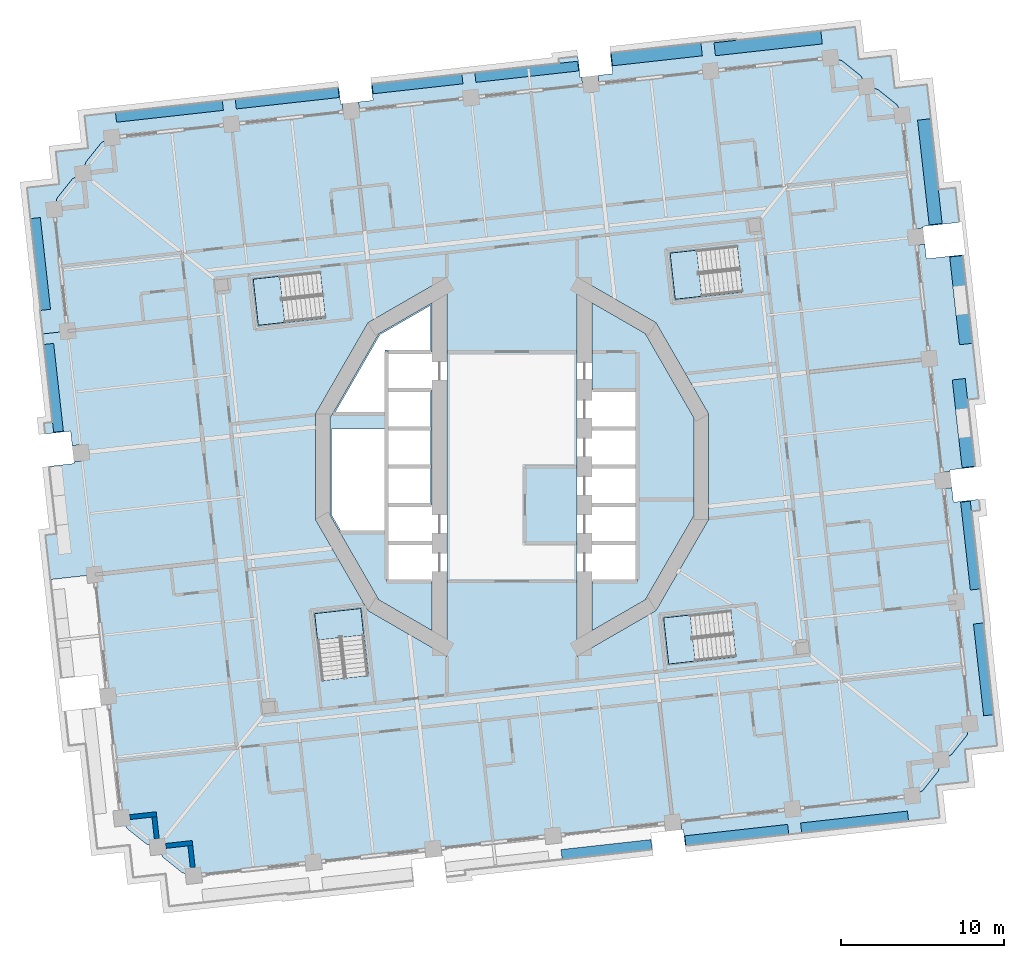
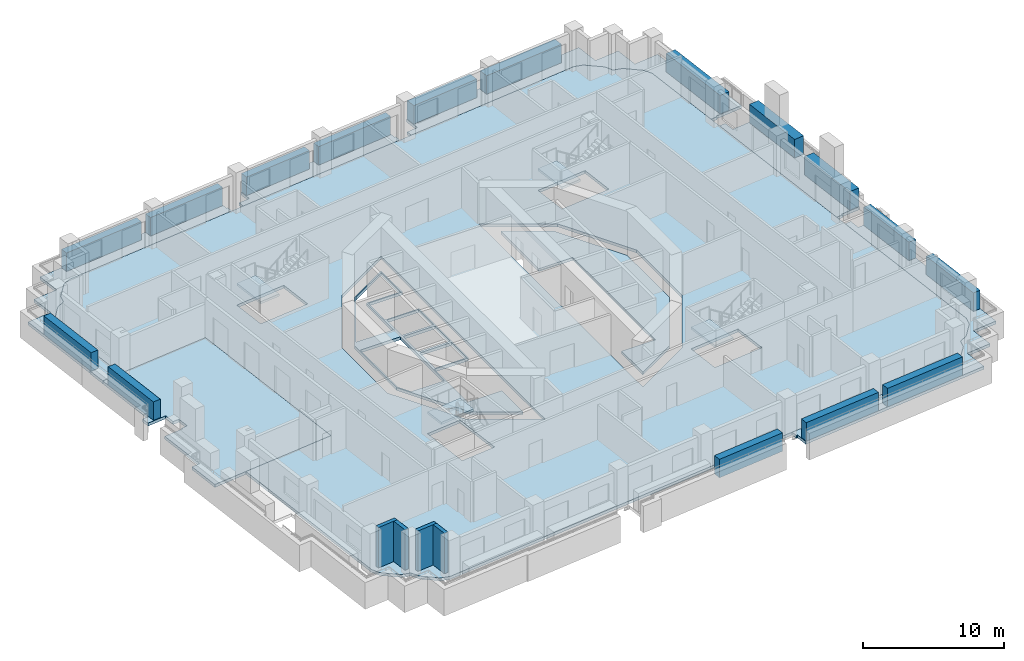
# One storey, part 3 of 19: 16 plates, 13 slabs, 4 walls, 4 elements without a shape of their own.
"""IFC4 building model written with IfcOpenShell, lengths in metres."""

from ifc_helpers import new_model, si_unit, direction, frame, frame_2d, origin, origin_2d, place, context, subcontext, project, spatial, polyline, rectangle, outline, extrude, material, layer, layer_set, type_object, element, aggregate, save


model = new_model("IFC4")

# Units and contexts
model_context = context("Model", 3, precision=1e-05, world=origin(), true_north=direction((0.0, 1.0)))
body_context = subcontext(model_context, "Body", "Model", "MODEL_VIEW")
ifc_project = project(units=[si_unit("LENGTHUNIT", "METRE"), si_unit("AREAUNIT", "SQUARE_METRE"), si_unit("VOLUMEUNIT", "CUBIC_METRE"), si_unit("PLANEANGLEUNIT", "RADIAN"), si_unit("MASSUNIT", "GRAM", prefix="KILO")], contexts=[model_context])

# Site, building, storey
site_placement = place(None, origin())
site = spatial("IfcSite", under=ifc_project, at=site_placement, CompositionType="ELEMENT")
building_placement = place(site_placement, origin())
building = spatial("IfcBuilding", under=site, at=building_placement, Name="Cantera Rosa Tower", CompositionType="ELEMENT")
storey_placement = place(building_placement, frame((0.0, 0.0, 65.300048828125)))
storey = spatial("IfcBuildingStorey", under=building, at=storey_placement, Name="L13", CompositionType="ELEMENT", Elevation=65.300048828125)

# Slabs
ifc_material_1 = material(Name="Concrete C35/45", Category="concrete")
ifc_layer_1 = layer(ifc_material_1, 0.25)
ifc_layer_set_1 = layer_set([ifc_layer_1], Name="COMPOSITE FLOOR SLAB 250 C35/45")
slab_type_1 = type_object("IfcSlabType", Name="COMPOSITE FLOOR SLAB 250 C35/45", PredefinedType="FLOOR", material=ifc_layer_set_1)
slab_1_placement = place(storey_placement, frame((0.0, 0.0, -0.25)))
element("IfcSlab", 1, at=slab_1_placement, inside=storey, type_object=slab_type_1, Name="SLAB L13 floor 1", PredefinedType="FLOOR", context=body_context, shape_type="SweptSolid", body=[
    extrude(outline(polyline([(-4.89990234375, -7.050048828125), (-4.89990234375, -10.07373046875), (-8.179931640625, -8.179931640625), (-11.174072265625, -2.994140625), (-11.174072265625, 2.994140625), (-8.179931640625, 8.179931640625), (-4.89990234375, 10.07373046875), (-4.89990234375, 7.050048828125), (-7.699951171875, 7.050048828125), (-7.699951171875, 4.699951171875), (-4.89990234375, 4.699951171875), (-4.89990234375, -2.35009765625), (-7.699951171875, -2.35009765625), (-7.699951171875, -4.699951171875), (-7.699951171875, -7.050048828125), (-4.89990234375, -7.050048828125)]), holes=[polyline([(-5.0, -0.10009765625), (-7.60009765625, -0.10009765625), (-7.60009765625, -2.25), (-5.0, -2.25), (-5.0, -0.10009765625)]), polyline([(-7.800048828125, -3.929443359375), (-7.800048828125, -2.449951171875), (-7.800048828125, -2.25), (-7.800048828125, 2.25), (-7.800048828125, 2.317626953125), (-11.07421875, 2.317626953125), (-11.07421875, -2.96728515625), (-10.5185546875, -3.929443359375), (-7.800048828125, -3.929443359375)]), polyline([(-5.0, 2.25), (-7.60009765625, 2.25), (-7.60009765625, 0.10009765625), (-5.0, 0.10009765625), (-5.0, 2.25)]), polyline([(-5.0, 2.449951171875), (-5.0, 4.60009765625), (-7.60009765625, 4.60009765625), (-7.60009765625, 2.449951171875), (-5.0, 2.449951171875)]), polyline([(-7.800048828125, 7.14990234375), (-5.0, 7.14990234375), (-5.0, 9.900390625), (-8.106689453125, 8.106689453125), (-10.868408203125, 3.323486328125), (-7.800048828125, 3.323486328125), (-7.800048828125, 7.14990234375)])]), origin(), (0.0, 0.0, 1.0), 0.25),
])
slab_2_placement = place(storey_placement, frame((0.0, 0.0, -0.25)))
element("IfcSlab", 2, at=slab_2_placement, inside=storey, type_object=slab_type_1, Name="SLAB L13 floor 2", PredefinedType="FLOOR", context=body_context, shape_type="SweptSolid", body=[
    extrude(outline(polyline([(-21.415283203125, -23.999267578125), (-21.435302734375, -23.9775390625), (-21.453125, -23.9541015625), (-21.468505859375, -23.92919921875), (-21.7578125, -23.342529296875), (-22.393310546875, -23.18896484375), (-22.42138671875, -23.179443359375), (-22.447998046875, -23.1669921875), (-22.473388671875, -23.15234375), (-22.497314453125, -23.135009765625), (-23.6015625, -22.25146484375), (-23.62353515625, -22.23193359375), (-23.643798828125, -22.21044921875), (-23.66162109375, -22.18701171875), (-23.677001953125, -22.161865234375), (-23.96630859375, -21.575439453125), (-25.625244140625, -6.627197265625), (-18.171142578125, -5.7998046875), (-19.830078125, 9.148193359375), (-27.284423828125, 8.321044921875), (-28.114013671875, 15.795166015625), (-27.960205078125, 16.4306640625), (-27.95068359375, 16.45849609375), (-27.9384765625, 16.4853515625), (-27.923583984375, 16.5107421875), (-27.906494140625, 16.53466796875), (-27.022705078125, 17.638916015625), (-27.00341796875, 17.660888671875), (-26.981689453125, 17.680908203125), (-26.958251953125, 17.69873046875), (-26.933349609375, 17.714111328125), (-26.3466796875, 18.00341796875), (-26.193115234375, 18.63916015625), (-26.18359375, 18.6669921875), (-26.17138671875, 18.693603515625), (-26.156494140625, 18.71923828125), (-26.139404296875, 18.742919921875), (-25.255615234375, 19.84716796875), (-25.236083984375, 19.869384765625), (-25.214599609375, 19.889404296875), (-25.191162109375, 19.9072265625), (-25.166015625, 19.922607421875), (-24.57958984375, 20.2119140625), (18.642578125, 25.00927734375), (19.54931640625, 25.10986328125), (20.18505859375, 24.9560546875), (20.212890625, 24.946533203125), (20.239501953125, 24.934326171875), (20.26513671875, 24.91943359375), (20.288818359375, 24.902099609375), (21.39306640625, 24.018798828125), (21.415283203125, 23.999267578125), (21.435302734375, 23.9775390625), (21.453125, 23.9541015625), (21.468505859375, 23.92919921875), (21.7578125, 23.342529296875), (22.393310546875, 23.18896484375), (22.42138671875, 23.179443359375), (22.447998046875, 23.1669921875), (22.473388671875, 23.15234375), (22.497314453125, 23.135009765625), (23.6015625, 22.25146484375), (23.62353515625, 22.23193359375), (23.643798828125, 22.21044921875), (23.66162109375, 22.18701171875), (23.677001953125, 22.161865234375), (23.96630859375, 21.575439453125), (28.114013671875, -15.795166015625), (27.960205078125, -16.4306640625), (27.95068359375, -16.45849609375), (27.9384765625, -16.4853515625), (27.923583984375, -16.5107421875), (27.906494140625, -16.53466796875), (27.022705078125, -17.638916015625), (27.00341796875, -17.660888671875), (26.981689453125, -17.680908203125), (26.958251953125, -17.69873046875), (26.933349609375, -17.714111328125), (26.3466796875, -18.00341796875), (26.193115234375, -18.63916015625), (26.18359375, -18.6669921875), (26.17138671875, -18.693603515625), (26.156494140625, -18.71923828125), (26.139404296875, -18.742919921875), (25.255615234375, -19.84716796875), (25.236083984375, -19.869384765625), (25.214599609375, -19.889404296875), (25.191162109375, -19.9072265625), (25.166015625, -19.922607421875), (24.57958984375, -20.2119140625), (-18.642578125, -25.00927734375), (-19.54931640625, -25.10986328125), (-20.18505859375, -24.9560546875), (-20.212890625, -24.946533203125), (-20.239501953125, -24.934326171875), (-20.26513671875, -24.91943359375), (-20.288818359375, -24.902099609375), (-21.39306640625, -24.018798828125), (-21.415283203125, -23.999267578125)]), holes=[polyline([(-12.11962890625, -9.02392578125), (-11.6630859375, -13.13671875), (-8.83056640625, -12.822265625), (-9.287109375, -8.709716796875), (-12.11962890625, -9.02392578125)]), polyline([(-12.07421875, -3.235107421875), (-8.8388671875, -8.8388671875), (-4.0, -11.632568359375), (-4.0, 11.632568359375), (-8.8388671875, 8.8388671875), (-12.07421875, 3.235107421875), (-12.07421875, -3.235107421875)]), polyline([(-15.575927734375, 8.680419921875), (-11.46337890625, 9.13671875), (-11.777587890625, 11.969482421875), (-15.890380859375, 11.512939453125), (-15.575927734375, 8.680419921875)]), polyline([(9.6240234375, -12.11962890625), (13.73681640625, -11.6630859375), (13.42236328125, -8.83056640625), (9.3095703125, -9.287109375), (9.6240234375, -12.11962890625)]), polyline([(12.07421875, 3.235107421875), (8.8388671875, 8.8388671875), (4.0, 11.632568359375), (4.0, -11.632568359375), (8.8388671875, -8.8388671875), (12.07421875, -3.235107421875), (12.07421875, 3.235107421875)]), polyline([(9.709716796875, 13.11279296875), (10.02392578125, 10.2802734375), (14.13671875, 10.73681640625), (13.822265625, 13.5693359375), (9.709716796875, 13.11279296875)])]), origin(), (0.0, 0.0, 1.0), 0.25),
])
slab_3_placement = place(storey_placement, frame((0.0, 0.0, -0.25)))
element("IfcSlab", 3, at=slab_3_placement, inside=storey, type_object=slab_type_1, Name="SLAB L13 floor 3", PredefinedType="FLOOR", context=body_context, shape_type="SweptSolid", body=[
    extrude(outline(polyline([(7.699951171875, 4.699951171875), (4.89990234375, 4.699951171875), (4.89990234375, 10.07373046875), (8.179931640625, 8.179931640625), (11.174072265625, 2.994140625), (11.174072265625, -2.994140625), (8.179931640625, -8.179931640625), (4.89990234375, -10.07373046875), (4.89990234375, -7.050048828125), (7.699951171875, -7.050048828125), (7.699951171875, -4.699951171875), (7.699951171875, -2.35009765625), (7.699951171875, 0.0), (7.699951171875, 2.35009765625), (7.699951171875, 4.699951171875)])), origin(), (0.0, 0.0, 1.0), 0.25),
])
ifc_material_2 = material(Name="Concrete C35/45", Category="concrete")
ifc_layer_2 = layer(ifc_material_2, 0.25)
ifc_layer_set_2 = layer_set([ifc_layer_2], Name="LOGGIA SLAB 250 C35/45")
slab_type_2 = type_object("IfcSlabType", Name="LOGGIA SLAB 250 C35/45", PredefinedType="FLOOR", material=ifc_layer_set_2)
slab_4_placement = place(storey_placement, frame((0.0, 0.0, -0.25)))
element("IfcSlab", 4, at=slab_4_placement, inside=storey, type_object=slab_type_2, Name="LOGGIA SLAB L13 2", PredefinedType="FLOOR", context=body_context, shape_type="SweptSolid", body=[
    extrude(outline(polyline([(-28.279296875, 17.285888671875), (-27.782470703125, 17.341064453125), (-27.837646484375, 17.837890625), (-28.003173828125, 19.328857421875), (-26.51220703125, 19.494384765625), (-26.015380859375, 19.549560546875), (-26.070556640625, 20.04638671875), (-26.236083984375, 21.537353515625), (-24.7451171875, 21.702880859375), (-18.881103515625, 22.353515625), (-15.8994140625, 22.6845703125), (-11.5263671875, 23.169921875), (-10.6318359375, 23.269287109375), (-10.521484375, 22.275390625), (-10.422119140625, 22.286376953125), (-10.366943359375, 21.789306640625), (-24.57958984375, 20.2119140625), (-25.166015625, 19.922607421875), (-25.191162109375, 19.9072265625), (-25.214599609375, 19.889404296875), (-25.236083984375, 19.869384765625), (-25.255615234375, 19.84716796875), (-26.139404296875, 18.742919921875), (-26.156494140625, 18.71923828125), (-26.17138671875, 18.693603515625), (-26.18359375, 18.6669921875), (-26.193115234375, 18.63916015625), (-26.3466796875, 18.00341796875), (-26.933349609375, 17.714111328125), (-26.958251953125, 17.69873046875), (-26.981689453125, 17.680908203125), (-27.00341796875, 17.660888671875), (-27.022705078125, 17.638916015625), (-27.906494140625, 16.53466796875), (-27.923583984375, 16.5107421875), (-27.9384765625, 16.4853515625), (-27.95068359375, 16.45849609375), (-27.960205078125, 16.4306640625), (-28.114013671875, 15.795166015625), (-27.284423828125, 8.321044921875), (-28.815185546875, 8.151123046875), (-28.985107421875, 9.681884765625), (-28.9453125, 9.686279296875), (-29.604736328125, 15.629638671875), (-29.770263671875, 17.12060546875), (-28.279296875, 17.285888671875)])), origin(), (0.0, 0.0, 1.0), 0.25),
])
slab_5_placement = place(storey_placement, frame((0.0, 0.0, -0.25)))
element("IfcSlab", 5, at=slab_5_placement, inside=storey, type_object=slab_type_2, Name="LOGGIA SLAB L13 4", PredefinedType="FLOOR", context=body_context, shape_type="SweptSolid", body=[
    extrude(outline(polyline([(4.04638671875, 25.185302734375), (4.188232421875, 23.907958984375), (4.28759765625, 23.9189453125), (4.3427734375, 23.422119140625), (-9.373046875, 21.899658203125), (-9.42822265625, 22.396484375), (-8.53369140625, 22.495849609375), (-8.64404296875, 23.48974609375), (-8.544677734375, 23.5009765625), (-4.17138671875, 23.986083984375), (-1.189697265625, 24.317138671875), (2.89990234375, 24.77099609375), (2.868408203125, 25.054443359375), (4.04638671875, 25.185302734375)])), origin(), (0.0, 0.0, 1.0), 0.25),
])
slab_6_placement = place(storey_placement, frame((0.0, 0.0, -0.25)))
element("IfcSlab", 6, at=slab_6_placement, inside=storey, type_object=slab_type_2, Name="LOGGIA SLAB L13 6", PredefinedType="FLOOR", context=body_context, shape_type="SweptSolid", body=[
    extrude(outline(polyline([(21.272216796875, 24.999267578125), (21.5703125, 25.0322265625), (23.260009765625, 25.2197265625), (23.447509765625, 23.5302734375), (23.48046875, 23.23193359375), (23.77880859375, 23.26513671875), (25.46826171875, 23.45263671875), (25.65576171875, 21.762939453125), (26.183837890625, 17.0048828125), (27.21044921875, 17.118896484375), (27.445556640625, 14.9990234375), (25.2265625, 14.752685546875), (25.237548828125, 14.653564453125), (24.740478515625, 14.598388671875), (23.96630859375, 21.575439453125), (23.677001953125, 22.161865234375), (23.66162109375, 22.18701171875), (23.643798828125, 22.21044921875), (23.62353515625, 22.23193359375), (23.6015625, 22.25146484375), (22.497314453125, 23.135009765625), (22.473388671875, 23.15234375), (22.447998046875, 23.1669921875), (22.42138671875, 23.179443359375), (22.393310546875, 23.18896484375), (21.7578125, 23.342529296875), (21.468505859375, 23.92919921875), (21.453125, 23.9541015625), (21.435302734375, 23.9775390625), (21.415283203125, 23.999267578125), (21.39306640625, 24.018798828125), (20.288818359375, 24.902099609375), (20.26513671875, 24.91943359375), (20.239501953125, 24.934326171875), (20.212890625, 24.946533203125), (20.18505859375, 24.9560546875), (19.54931640625, 25.10986328125), (18.642578125, 25.00927734375), (5.336669921875, 23.5322265625), (5.281494140625, 24.029296875), (6.176025390625, 24.12841796875), (6.0341796875, 25.406005859375), (13.77197265625, 26.2646484375), (13.78125, 26.179931640625), (19.36181640625, 26.79931640625), (21.051513671875, 26.98681640625), (21.239013671875, 25.29736328125), (21.272216796875, 24.999267578125)])), origin(), (0.0, 0.0, 1.0), 0.25),
])
slab_7_placement = place(storey_placement, frame((0.0, 0.0, -0.25)))
element("IfcSlab", 7, at=slab_7_placement, inside=storey, type_object=slab_type_2, Name="LOGGIA SLAB L13 7", PredefinedType="FLOOR", context=body_context, shape_type="SweptSolid", body=[
    extrude(outline(polyline([(29.770263671875, -17.12060546875), (28.279296875, -17.285888671875), (27.782470703125, -17.341064453125), (27.837646484375, -17.837890625), (28.003173828125, -19.328857421875), (26.51220703125, -19.494384765625), (26.015380859375, -19.549560546875), (26.070556640625, -20.04638671875), (26.236083984375, -21.537353515625), (24.7451171875, -21.702880859375), (18.881103515625, -22.353515625), (15.8994140625, -22.6845703125), (11.5263671875, -23.169921875), (10.6318359375, -23.269287109375), (10.521484375, -22.275390625), (10.422119140625, -22.286376953125), (10.366943359375, -21.789306640625), (24.57958984375, -20.2119140625), (25.166015625, -19.922607421875), (25.191162109375, -19.9072265625), (25.214599609375, -19.889404296875), (25.236083984375, -19.869384765625), (25.255615234375, -19.84716796875), (26.139404296875, -18.742919921875), (26.156494140625, -18.71923828125), (26.17138671875, -18.693603515625), (26.18359375, -18.6669921875), (26.193115234375, -18.63916015625), (26.3466796875, -18.00341796875), (26.933349609375, -17.714111328125), (26.958251953125, -17.69873046875), (26.981689453125, -17.680908203125), (27.00341796875, -17.660888671875), (27.022705078125, -17.638916015625), (27.906494140625, -16.53466796875), (27.923583984375, -16.5107421875), (27.9384765625, -16.4853515625), (27.95068359375, -16.45849609375), (27.960205078125, -16.4306640625), (28.114013671875, -15.795166015625), (26.510009765625, -1.34375), (27.007080078125, -1.288818359375), (27.106201171875, -2.18310546875), (28.65625, -2.010986328125), (28.72900390625, -2.66650390625), (28.212890625, -2.723876953125), (28.985107421875, -9.681884765625), (28.9453125, -9.686279296875), (29.604736328125, -15.629638671875), (29.770263671875, -17.12060546875)])), origin(), (0.0, 0.0, 1.0), 0.25),
])
slab_8_placement = place(storey_placement, frame((0.0, 0.0, -0.25)))
element("IfcSlab", 8, at=slab_8_placement, inside=storey, type_object=slab_type_2, Name="LOGGIA SLAB L13 8", PredefinedType="FLOOR", context=body_context, shape_type="SweptSolid", body=[
    extrude(outline(polyline([(26.399658203125, -0.349853515625), (24.850830078125, 13.6044921875), (25.347900390625, 13.65966796875), (25.447265625, 12.764892578125), (27.666259765625, 13.01123046875), (28.642822265625, 4.212646484375), (27.9736328125, 4.138427734375), (28.435546875, -0.023193359375), (26.885498046875, -0.1953125), (26.896728515625, -0.294921875), (26.399658203125, -0.349853515625)])), origin(), (0.0, 0.0, 1.0), 0.25),
])

# Plates
ifc_material_3 = material(Name="Cantera stone planter with soil", Category="masonry")
plate_type_1 = type_object("IfcPlateType", Name="PLANTER 600", PredefinedType="USERDEFINED", material=ifc_material_3)
plate_1_placement = place(storey_placement, frame((28.94970703125, -12.447509765625, 0.0), z_axis=(0.0, 0.0, 1.0), x_axis=(-0.110312555526, 0.993896946415, 0.0)))
element("IfcPlate", 9, at=plate_1_placement, inside=storey, type_object=plate_type_1, Name="PLANTER L13-01", ObjectType="PLANTER", PredefinedType="USERDEFINED", context=body_context, shape_type="SweptSolid", body=[
    extrude(rectangle(XDim=5.669921875, YDim=0.60009765625, at=origin_2d()), origin(), (0.0, 0.0, 1.0), 1.60009765625),
])
plate_2_placement = place(storey_placement, frame((28.146240234375, -4.8447265625, 0.0), z_axis=(0.0, 0.0, 1.0), x_axis=(-0.110312555526, 0.993896946415, 0.0)))
element("IfcPlate", 10, at=plate_2_placement, inside=storey, type_object=plate_type_1, Name="PLANTER L13-02", ObjectType="PLANTER", PredefinedType="USERDEFINED", context=body_context, shape_type="SweptSolid", body=[
    extrude(rectangle(XDim=5.419921875, YDim=0.60009765625, at=origin_2d()), origin(), (0.0, 0.0, 1.0), 1.60009765625),
])
plate_3_placement = place(storey_placement, frame((0.90576171875, 24.247802734375, 0.0), z_axis=(0.0, 0.0, 1.0), x_axis=(-0.993896946415, -0.110312555526, 0.0)))
element("IfcPlate", 11, at=plate_3_placement, inside=storey, type_object=plate_type_1, Name="PLANTER L13-08", ObjectType="PLANTER", PredefinedType="USERDEFINED", context=body_context, shape_type="SweptSolid", body=[
    extrude(rectangle(XDim=6.35009765625, YDim=0.60009765625, at=origin_2d()), origin(), (0.0, 0.0, 1.0), 1.60009765625),
])
plate_4_placement = place(storey_placement, frame((-5.80322265625, 23.503173828125, 0.0), z_axis=(0.0, 0.0, 1.0), x_axis=(-0.993896946415, -0.110312555526, 0.0)))
element("IfcPlate", 12, at=plate_4_placement, inside=storey, type_object=plate_type_1, Name="PLANTER L13-09", ObjectType="PLANTER", PredefinedType="USERDEFINED", context=body_context, shape_type="SweptSolid", body=[
    extrude(rectangle(XDim=5.550048828125, YDim=0.60009765625, at=origin_2d()), origin(), (0.0, 0.0, 1.0), 1.60009765625),
])
plate_5_placement = place(storey_placement, frame((-13.803955078125, 22.615234375, 0.0), z_axis=(0.0, 0.0, 1.0), x_axis=(-0.993896946415, -0.110312555526, 0.0)))
element("IfcPlate", 13, at=plate_5_placement, inside=storey, type_object=plate_type_1, Name="PLANTER L13-10", ObjectType="PLANTER", PredefinedType="USERDEFINED", context=body_context, shape_type="SweptSolid", body=[
    extrude(rectangle(XDim=6.35009765625, YDim=0.60009765625, at=origin_2d()), origin(), (0.0, 0.0, 1.0), 1.60009765625),
])
plate_6_placement = place(storey_placement, frame((-21.03466796875, 21.812744140625, 0.0), z_axis=(0.0, 0.0, 1.0), x_axis=(-0.993896946415, -0.110312555526, 0.0)))
element("IfcPlate", 14, at=plate_6_placement, inside=storey, type_object=plate_type_1, Name="PLANTER L13-11", ObjectType="PLANTER", PredefinedType="USERDEFINED", context=body_context, shape_type="SweptSolid", body=[
    extrude(rectangle(XDim=6.60009765625, YDim=0.60009765625, at=origin_2d()), origin(), (0.0, 0.0, 1.0), 1.60009765625),
])
plate_7_placement = place(storey_placement, frame((-28.94970703125, 12.447509765625, 0.0), z_axis=(0.0, 0.0, 1.0), x_axis=(0.110312555526, -0.993896946415, 0.0)))
element("IfcPlate", 15, at=plate_7_placement, inside=storey, type_object=plate_type_1, Name="PLANTER L13-12", ObjectType="PLANTER", PredefinedType="USERDEFINED", context=body_context, shape_type="SweptSolid", body=[
    extrude(rectangle(XDim=5.669921875, YDim=0.60009765625, at=origin_2d()), origin(), (0.0, 0.0, 1.0), 1.60009765625),
])
plate_8_placement = place(storey_placement, frame((-28.146240234375, 4.8447265625, 0.0), z_axis=(0.0, 0.0, 1.0), x_axis=(0.110312555526, -0.993896946415, 0.0)))
element("IfcPlate", 16, at=plate_8_placement, inside=storey, type_object=plate_type_1, Name="PLANTER L13-13", ObjectType="PLANTER", PredefinedType="USERDEFINED", context=body_context, shape_type="SweptSolid", body=[
    extrude(rectangle(XDim=5.419921875, YDim=0.60009765625, at=origin_2d()), origin(), (0.0, 0.0, 1.0), 1.60009765625),
])
plate_9_placement = place(storey_placement, frame((5.80322265625, -23.503173828125, 0.0), z_axis=(0.0, 0.0, 1.0), x_axis=(0.993896946415, 0.110312555526, 0.0)))
element("IfcPlate", 17, at=plate_9_placement, inside=storey, type_object=plate_type_1, Name="PLANTER L13-20", ObjectType="PLANTER", PredefinedType="USERDEFINED", context=body_context, shape_type="SweptSolid", body=[
    extrude(rectangle(XDim=5.550048828125, YDim=0.60009765625, at=origin_2d()), origin(), (0.0, 0.0, 1.0), 1.60009765625),
])
plate_10_placement = place(storey_placement, frame((13.803955078125, -22.615234375, 0.0), z_axis=(0.0, 0.0, 1.0), x_axis=(0.993896946415, 0.110312555526, 0.0)))
element("IfcPlate", 18, at=plate_10_placement, inside=storey, type_object=plate_type_1, Name="PLANTER L13-21", ObjectType="PLANTER", PredefinedType="USERDEFINED", context=body_context, shape_type="SweptSolid", body=[
    extrude(rectangle(XDim=6.35009765625, YDim=0.60009765625, at=origin_2d()), origin(), (0.0, 0.0, 1.0), 1.60009765625),
])
plate_11_placement = place(storey_placement, frame((21.03466796875, -21.812744140625, 0.0), z_axis=(0.0, 0.0, 1.0), x_axis=(0.993896946415, 0.110312555526, 0.0)))
element("IfcPlate", 19, at=plate_11_placement, inside=storey, type_object=plate_type_1, Name="PLANTER L13-22", ObjectType="PLANTER", PredefinedType="USERDEFINED", context=body_context, shape_type="SweptSolid", body=[
    extrude(rectangle(XDim=6.60009765625, YDim=0.60009765625, at=origin_2d()), origin(), (0.0, 0.0, 1.0), 1.60009765625),
])
ifc_material_4 = material(Name="Cantera stone planter with soil", Category="masonry")
plate_type_2 = type_object("IfcPlateType", Name="PLANTER 800", PredefinedType="USERDEFINED", material=ifc_material_4)
for number, where, z_axis, x_axis, name in (
    (20, (27.733642578125, 2.67578125, 0.0), (0.0, 0.0, 1.0), (-0.110312555526, 0.993896946415, 0.0), "PLANTER L13-03"),
    (21, (27.5732421875, 10.22412109375, 0.0), (0.0, 0.0, 1.0), (-0.110312555526, 0.993896946415, 0.0), "PLANTER L13-04"),
):
    element("IfcPlate", number, at=place(storey_placement, frame(where, z_axis=z_axis, x_axis=x_axis)), inside=storey, type_object=plate_type_2, Name=name, ObjectType="PLANTER", PredefinedType="USERDEFINED", context=body_context, shape_type="SweptSolid", body=[
        extrude(rectangle(XDim=5.419921875, YDim=0.800048828125, at=origin_2d()), origin(), (0.0, 0.0, 1.0), 1.60009765625),
    ])
plate_12_placement = place(storey_placement, frame((25.6591796875, 18.10595703125, 0.0), z_axis=(0.0, 0.0, 1.0), x_axis=(-0.110312555526, 0.993896946415, 0.0)))
element("IfcPlate", 22, at=plate_12_placement, inside=storey, type_object=plate_type_2, Name="PLANTER L13-05", ObjectType="PLANTER", PredefinedType="USERDEFINED", context=body_context, shape_type="SweptSolid", body=[
    extrude(rectangle(XDim=6.469970703125, YDim=0.800048828125, at=origin_2d()), origin(), (0.0, 0.0, 1.0), 1.60009765625),
])
plate_13_placement = place(storey_placement, frame((15.728515625, 25.99365234375, 0.0), z_axis=(0.0, 0.0, 1.0), x_axis=(-0.993896946415, -0.110312555526, 0.0)))
element("IfcPlate", 23, at=plate_13_placement, inside=storey, type_object=plate_type_2, Name="PLANTER L13-06", ObjectType="PLANTER", PredefinedType="USERDEFINED", context=body_context, shape_type="SweptSolid", body=[
    extrude(rectangle(XDim=6.60009765625, YDim=0.800048828125, at=origin_2d()), origin(), (0.0, 0.0, 1.0), 1.60009765625),
])
plate_14_placement = place(storey_placement, frame((8.88623046875, 25.320068359375, 0.0), z_axis=(0.0, 0.0, 1.0), x_axis=(-0.993896946415, -0.110312555526, 0.0)))
element("IfcPlate", 24, at=plate_14_placement, inside=storey, type_object=plate_type_2, Name="PLANTER L13-07", ObjectType="PLANTER", PredefinedType="USERDEFINED", context=body_context, shape_type="SweptSolid", body=[
    extrude(rectangle(XDim=5.550048828125, YDim=0.800048828125, at=origin_2d()), origin(), (0.0, 0.0, 1.0), 1.60009765625),
])

# Stair, slab
ifc_material_5 = material(Name="Concrete C35/45", Category="concrete")
stair_type = type_object("IfcStairType", Name="EXIT STAIR 1350 DOGLEG", PredefinedType="HALF_TURN_STAIR", material=ifc_material_5)
stair_1_placement = place(storey_placement, origin())
stair_1 = element("IfcStair", 25, at=stair_1_placement, inside=storey, type_object=stair_type, Name="L13 ST-11", PredefinedType="HALF_TURN_STAIR")
ifc_material_6 = material(Name="Concrete C35/45", Category="concrete")
ifc_layer_3 = layer(ifc_material_6, 0.199951171875)
ifc_layer_set_3 = layer_set([ifc_layer_3], Name="STAIR LANDING 200")
slab_type_3 = type_object("IfcSlabType", Name="STAIR LANDING 200", PredefinedType="LANDING", material=ifc_layer_set_3)
slab_9_placement = place(storey_placement, frame((0.0, 0.0, 1.699951171875)))
slab_9 = element("IfcSlab", 26, at=slab_9_placement, type_object=slab_type_3, Name="ST-11 landing 1", PredefinedType="LANDING", context=body_context, shape_type="SweptSolid", body=[
    extrude(outline(polyline([(11.341552734375, 13.294189453125), (9.70947265625, 13.113037109375), (10.02392578125, 10.2802734375), (11.656005859375, 10.46142578125), (11.341552734375, 13.294189453125)])), origin(), (0.0, 0.0, 1.0), 0.199951171875),
])
aggregate(stair_1, [slab_9])

stair_2_placement = place(storey_placement, origin())
stair_2 = element("IfcStair", 27, at=stair_2_placement, inside=storey, type_object=stair_type, Name="L13 ST-12", PredefinedType="HALF_TURN_STAIR")
slab_10_placement = place(storey_placement, frame((0.0, 0.0, 1.699951171875)))
slab_10 = element("IfcSlab", 28, at=slab_10_placement, type_object=slab_type_3, Name="ST-12 landing 1", PredefinedType="LANDING", context=body_context, shape_type="SweptSolid", body=[
    extrude(outline(polyline([(-14.258544921875, 11.694091796875), (-15.890380859375, 11.512939453125), (-15.575927734375, 8.680419921875), (-13.944091796875, 8.861572265625), (-14.258544921875, 11.694091796875)])), origin(), (0.0, 0.0, 1.0), 0.199951171875),
])
aggregate(stair_2, [slab_10])

stair_3_placement = place(storey_placement, origin())
stair_3 = element("IfcStair", 29, at=stair_3_placement, inside=storey, type_object=stair_type, Name="L13 ST-13", PredefinedType="HALF_TURN_STAIR")
slab_11_placement = place(storey_placement, frame((0.0, 0.0, 1.699951171875)))
slab_11 = element("IfcSlab", 30, at=slab_11_placement, type_object=slab_type_3, Name="ST-13 landing 1", PredefinedType="LANDING", context=body_context, shape_type="SweptSolid", body=[
    extrude(outline(polyline([(-9.10595703125, -10.341552734375), (-9.287109375, -8.70947265625), (-12.11962890625, -9.02392578125), (-11.9384765625, -10.656005859375), (-9.10595703125, -10.341552734375)])), origin(), (0.0, 0.0, 1.0), 0.199951171875),
])
aggregate(stair_3, [slab_11])

stair_4_placement = place(storey_placement, origin())
stair_4 = element("IfcStair", 31, at=stair_4_placement, inside=storey, type_object=stair_type, Name="L13 ST-14", PredefinedType="HALF_TURN_STAIR")
slab_12_placement = place(storey_placement, frame((0.0, 0.0, 1.699951171875)))
slab_12 = element("IfcSlab", 32, at=slab_12_placement, type_object=slab_type_3, Name="ST-14 landing 1", PredefinedType="LANDING", context=body_context, shape_type="SweptSolid", body=[
    extrude(outline(polyline([(10.941650390625, -9.10595703125), (9.3095703125, -9.287109375), (9.6240234375, -12.11962890625), (11.255859375, -11.9384765625), (10.941650390625, -9.10595703125)])), origin(), (0.0, 0.0, 1.0), 0.199951171875),
])
aggregate(stair_4, [slab_12])

# Slab
ifc_material_7 = material(Name="Concrete C35/45", Category="concrete")
ifc_layer_4 = layer(ifc_material_7, 0.25)
ifc_layer_set_4 = layer_set([ifc_layer_4], Name="TERRACE SLAB 250 C35/45")
slab_type_4 = type_object("IfcSlabType", Name="TERRACE SLAB 250 C35/45", PredefinedType="FLOOR", material=ifc_layer_set_4)
slab_13_placement = place(storey_placement, frame((0.0, 0.0, -0.25)))
element("IfcSlab", 33, at=slab_13_placement, inside=storey, type_object=slab_type_4, Name="TERRACE SLAB L13 1", PredefinedType="FLOOR", context=body_context, shape_type="SweptSolid", body=[
    extrude(outline(polyline([(-26.896728515625, 0.294921875), (-26.399658203125, 0.349853515625), (-26.510009765625, 1.34375), (-27.007080078125, 1.288818359375), (-27.106201171875, 2.18310546875), (-28.65625, 2.010986328125), (-28.72900390625, 2.66650390625), (-28.212890625, 2.723876953125), (-28.815185546875, 8.151123046875), (-27.284423828125, 8.321044921875), (-19.830078125, 9.148193359375), (-18.171142578125, -5.7998046875), (-25.625244140625, -6.627197265625), (-28.34130859375, -6.9287109375), (-28.642822265625, -4.212646484375), (-27.9736328125, -4.138427734375), (-28.435546875, 0.023193359375), (-26.885498046875, 0.1953125), (-26.896728515625, 0.294921875)])), origin(), (0.0, 0.0, 1.0), 0.25),
])

# Walls
ifc_material_8 = material(Name="Hollow clay masonry with cantera stone cladding", Category="masonry")
ifc_layer_5 = layer(ifc_material_8, 0.300048828125)
ifc_layer_set_5 = layer_set([ifc_layer_5], Name="EW-LOGGIA 300")
wall_type = type_object("IfcWallType", Name="EW-LOGGIA 300", PredefinedType="SOLIDWALL", material=ifc_layer_set_5)
wall_1_placement = place(storey_placement, frame((-23.46923828125, -21.520263671875, 0.0), z_axis=(0.0, 0.0, 1.0), x_axis=(0.993905369514, 0.110236638423, 0.0)))
element("IfcWall", 34, at=wall_1_placement, inside=storey, type_object=wall_type, Name="EN-L13-W21a", PredefinedType="SOLIDWALL", context=body_context, shape_type="SweptSolid", body=[
    extrude(rectangle(XDim=1.64990234375, YDim=0.300048828125, at=frame_2d((0.824951171875, 0.0))), origin(), (0.0, 0.0, 1.0), 3.5),
])
wall_2_placement = place(storey_placement, frame((-21.9619140625, -21.50390625, 0.0), z_axis=(0.0, 0.0, 1.0), x_axis=(0.110312435488, -0.993896959738, 0.0)))
element("IfcWall", 35, at=wall_2_placement, inside=storey, type_object=wall_type, Name="EN-L13-W21b", PredefinedType="SOLIDWALL", context=body_context, shape_type="SweptSolid", body=[
    extrude(rectangle(XDim=1.35009765625, YDim=0.300048828125, at=frame_2d((0.675048828125, 0.0))), origin(), (0.0, 0.0, 1.0), 3.5),
])
wall_3_placement = place(storey_placement, frame((-21.2607421875, -23.287353515625, 0.0), z_axis=(0.0, 0.0, 1.0), x_axis=(0.993905369514, 0.110236638423, 0.0)))
element("IfcWall", 36, at=wall_3_placement, inside=storey, type_object=wall_type, Name="EN-L13-W22a", PredefinedType="SOLIDWALL", context=body_context, shape_type="SweptSolid", body=[
    extrude(rectangle(XDim=1.64990234375, YDim=0.300048828125, at=frame_2d((0.824951171875, 0.0))), origin(), (0.0, 0.0, 1.0), 3.5),
])
wall_4_placement = place(storey_placement, frame((-19.75341796875, -23.27099609375, 0.0), z_axis=(0.0, 0.0, 1.0), x_axis=(0.110312435488, -0.993896959738, 0.0)))
element("IfcWall", 37, at=wall_4_placement, inside=storey, type_object=wall_type, Name="EN-L13-W22b", PredefinedType="SOLIDWALL", context=body_context, shape_type="SweptSolid", body=[
    extrude(rectangle(XDim=1.35009765625, YDim=0.300048828125, at=frame_2d((0.675048828125, 0.0))), origin(), (0.0, 0.0, 1.0), 3.5),
])

save(model, "model.ifc")
